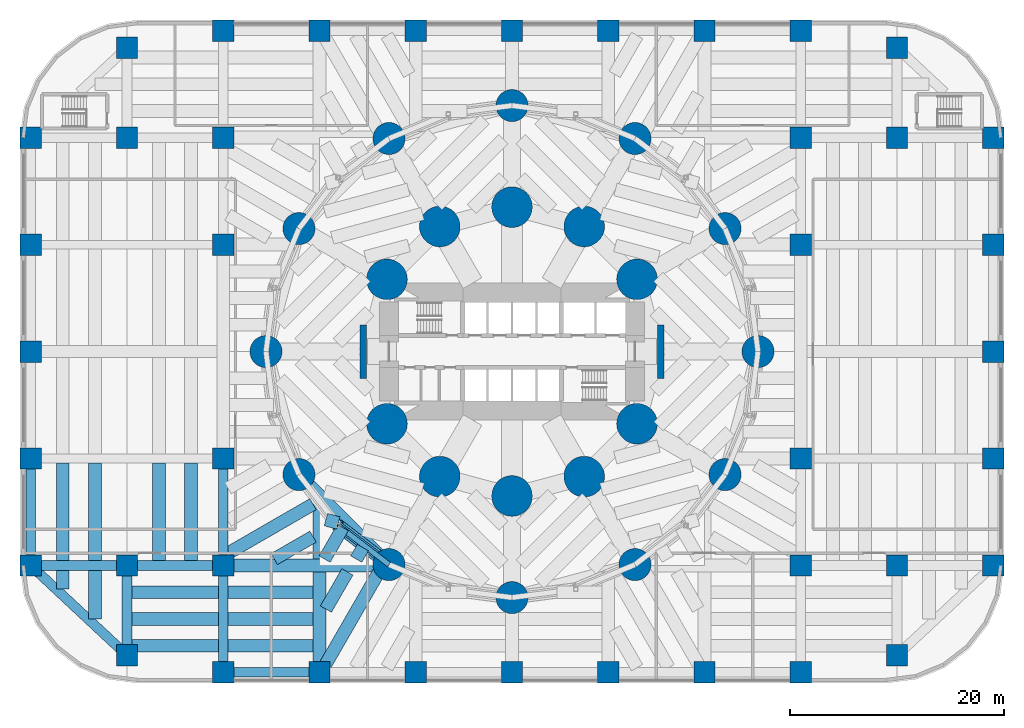
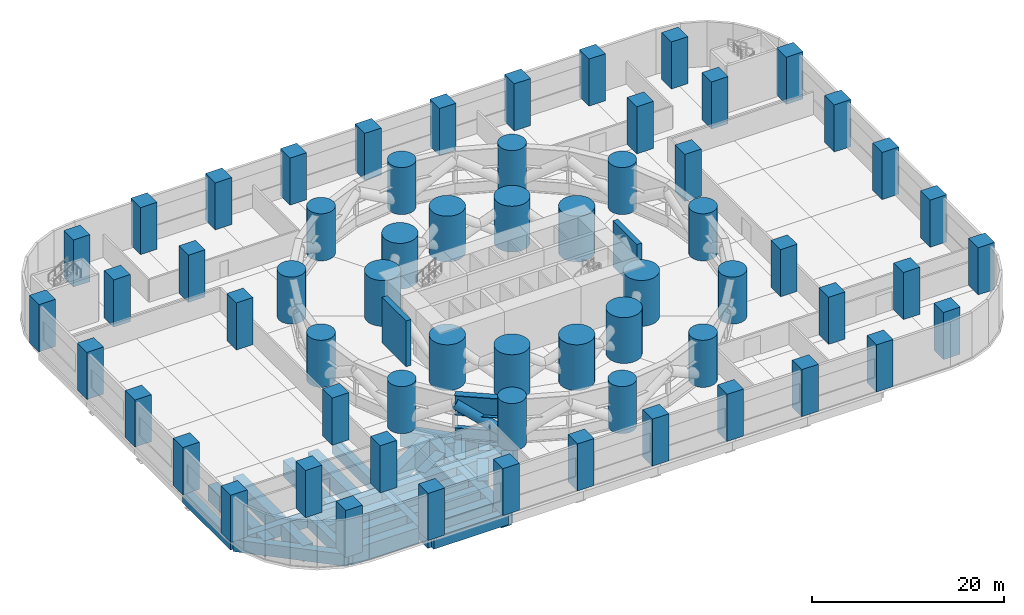
# One storey, part 1 of 14: 64 columns, 32 beams, 1 member.
"""IFC4 building model written with IfcOpenShell, lengths in metres."""

import ifcopenshell
import ifcopenshell.guid

model = None  # the IFC model being written
_history = None  # IfcOwnerHistory: only IFC2X3 demands one
_inside = {}  # id of a spatial element -> (the spatial element, [elements in it])
_under = {}  # id of a project, library or spatial element -> (it, [spatial elements below it])
_declared = {}  # id of a project -> (the project, [libraries it declares])
_typed = {}  # id of a type object -> (the type object, [elements of that type])
_made_of = {}  # id of a material, layer set ... -> (it, [elements and type objects made of it])


def new_model(schema):
    """Start an empty IFC model of exactly this schema.

    Asked for "IFC4X3", IfcOpenShell would pick the latest addendum, in which some entities
    have other attributes; the version numbers below select the first issue.
    IFC2X3 requires an IfcOwnerHistory on every rooted entity: one is made here for all.
    """
    global model, _history
    if schema == "IFC4X3":
        model = ifcopenshell.file(schema_version=(4, 3, 0, 0))
    else:
        model = ifcopenshell.file(schema=schema)
    _inside.clear()
    _under.clear()
    _declared.clear()
    _typed.clear()
    _made_of.clear()
    _history = None
    if model.schema == "IFC2X3":
        org = make("IfcOrganization", Name="unknown")
        user = make(
            "IfcPersonAndOrganization",
            ThePerson=make("IfcPerson", FamilyName="unknown"),
            TheOrganization=org,
        )
        app = make(
            "IfcApplication",
            ApplicationDeveloper=org,
            Version="unknown",
            ApplicationFullName="unknown",
            ApplicationIdentifier="unknown",
        )
        _history = make(
            "IfcOwnerHistory",
            OwningUser=user,
            OwningApplication=app,
            ChangeAction="ADDED",
            CreationDate=0,
        )
    return model


def make(cls, **values):
    """One entity of the class cls with the attributes given. An attribute that is None is left unset."""
    return model.create_entity(
        cls, **{name: value for name, value in values.items() if value is not None}
    )


def rooted(cls, **values):
    """An entity with a GlobalId (a new one), such as an element, a storey or a relation."""
    return make(cls, GlobalId=ifcopenshell.guid.new(), OwnerHistory=_history, **values)


def si_unit(unit_type, name, prefix=None):
    """IfcSIUnit, for example si_unit("LENGTHUNIT", "METRE", prefix="MILLI")."""
    return make("IfcSIUnit", UnitType=unit_type, Prefix=prefix, Name=name)


def assignment(units):
    """IfcUnitAssignment: the units of a project."""
    return None if units is None else make("IfcUnitAssignment", Units=units)


def point(xyz):
    """IfcCartesianPoint."""
    return None if xyz is None else make("IfcCartesianPoint", Coordinates=xyz)


def direction(xyz):
    """IfcDirection."""
    return None if xyz is None else make("IfcDirection", DirectionRatios=xyz)


def frame(location, z_axis=None, x_axis=None):
    """IfcAxis2Placement3D, a coordinate frame: its origin and axes. An axis left out is left unset."""
    return make(
        "IfcAxis2Placement3D",
        Location=point(location),
        Axis=direction(z_axis),
        RefDirection=direction(x_axis),
    )


def frame_2d(location, x_axis=None):
    """IfcAxis2Placement2D, a coordinate frame in the plane: its origin and x axis."""
    return make(
        "IfcAxis2Placement2D", Location=point(location), RefDirection=direction(x_axis)
    )


def origin():
    """The frame at (0, 0, 0) with its axes left unset."""
    return frame((0.0, 0.0, 0.0))


def origin_2d():
    """The frame at (0, 0) in the plane with its x axis left unset."""
    return frame_2d((0.0, 0.0))


def place(relative_to, where):
    """IfcLocalPlacement: puts the frame where relative to a parent placement (None: the world)."""
    return make(
        "IfcLocalPlacement", PlacementRelTo=relative_to, RelativePlacement=where
    )


def context(
    kind, dimensions, precision=None, world=None, true_north=None, identifier=None
):
    """IfcGeometricRepresentationContext, for example the 3D "Model" context."""
    return make(
        "IfcGeometricRepresentationContext",
        ContextIdentifier=identifier,
        ContextType=kind,
        CoordinateSpaceDimension=dimensions,
        Precision=precision,
        WorldCoordinateSystem=world,
        TrueNorth=true_north,
    )


def subcontext(parent, identifier, kind, view, scale=None):
    """IfcGeometricRepresentationSubContext, for example "Body" below "Model"."""
    return make(
        "IfcGeometricRepresentationSubContext",
        ContextIdentifier=identifier,
        ContextType=kind,
        ParentContext=parent,
        TargetScale=scale,
        TargetView=view,
    )


def project(units=None, contexts=None):
    """IfcProject with its units and contexts."""
    return rooted(
        "IfcProject",
        Name="project",
        RepresentationContexts=contexts,
        UnitsInContext=assignment(units),
    )


def spatial(cls, under=None, at=None, **own):
    """A site, building, storey or space (cls), placed at a placement, below another one or the project."""
    s = rooted(cls, ObjectPlacement=at, **own)
    if under is not None:
        _under.setdefault(under.id(), (under, []))[1].append(s)
    return s


def profile(cls, at=None, kind="AREA", **sizes):
    """A parametric profile (cls). Its sizes go by their IFC names, for example OverallWidth=200.0."""
    return make(cls, ProfileType=kind, Position=at, **sizes)


def rectangle(**sizes):
    """IfcRectangleProfileDef."""
    return profile("IfcRectangleProfileDef", **sizes)


def circle(**sizes):
    """IfcCircleProfileDef."""
    return profile("IfcCircleProfileDef", **sizes)


def hollow_circle(**sizes):
    """IfcCircleHollowProfileDef."""
    return profile("IfcCircleHollowProfileDef", **sizes)


def i_section(**sizes):
    """IfcIShapeProfileDef."""
    return profile("IfcIShapeProfileDef", **sizes)


def extrude(swept, where, along, depth):
    """IfcExtrudedAreaSolid: the profile swept, set in the frame where, extruded along a direction by depth."""
    return make(
        "IfcExtrudedAreaSolid",
        SweptArea=swept,
        Position=where,
        ExtrudedDirection=direction(along),
        Depth=depth,
    )


def shape(context_of_items, identifier, shape_type, items):
    """IfcShapeRepresentation: the items that make up one representation, for example the "Body"."""
    return make(
        "IfcShapeRepresentation",
        ContextOfItems=context_of_items,
        RepresentationIdentifier=identifier,
        RepresentationType=shape_type,
        Items=items,
    )


def material(Name=None, Category=None):
    """IfcMaterial."""
    return make("IfcMaterial", Name=Name, Category=Category)


def material_profile(
    of_material, cross_section, Name=None, Category=None, Priority=None
):
    """IfcMaterialProfile: a cross section and its material."""
    return make(
        "IfcMaterialProfile",
        Name=Name,
        Material=of_material,
        Profile=cross_section,
        Priority=Priority,
        Category=Category,
    )


def profile_set(profiles, Name=None, composite=None):
    """IfcMaterialProfileSet."""
    return make(
        "IfcMaterialProfileSet",
        Name=Name,
        MaterialProfiles=profiles,
        CompositeProfile=composite,
    )


def made_of(thing, what):
    """Note that an element or type object is made of a material, layer set ...; save() writes the relation."""
    if what is not None:
        _made_of.setdefault(what.id(), (what, []))[1].append(thing)
    return thing


def type_object(cls, material=None, **own):
    """A type object (cls), such as IfcWallType, which elements share."""
    return made_of(rooted(cls, **own), material)


def element(
    cls,
    number,
    at=None,
    inside=None,
    cuts=None,
    type_object=None,
    material=None,
    context=None,
    identifier="Body",
    shape_type=None,
    held_by="IfcProductDefinitionShape",
    body=None,
    shapes=None,
    **own,
):
    """One element of the class cls, such as IfcWall. Its Tag is "e" and its number.

    at: its placement. inside: the storey or other place that contains it. cuts: it is an
    opening in that element (IfcRelVoidsElement). A single representation is given by context,
    identifier, shape_type and body (its items); several are given by shapes. held_by: the class
    of the entity that holds the representations. save() writes the other relations.
    """
    e = rooted(cls, Tag="e%d" % number, ObjectPlacement=at, **own)
    if body is not None:
        shapes = [shape(context, identifier, shape_type, body)]
    if shapes is not None:
        e.Representation = make(held_by, Representations=shapes)
    if inside is not None:
        _inside.setdefault(inside.id(), (inside, []))[1].append(e)
    if cuts is not None:
        rooted(
            "IfcRelVoidsElement", RelatingBuildingElement=cuts, RelatedOpeningElement=e
        )
    if type_object is not None:
        _typed.setdefault(type_object.id(), (type_object, []))[1].append(e)
    return made_of(e, material)


def aggregate(whole, parts):
    """IfcRelAggregates: a whole, such as a stair, and the parts it consists of."""
    return rooted("IfcRelAggregates", RelatingObject=whole, RelatedObjects=parts)


def save(model, path):
    """Write the relations noted so far, then the file.

    IfcRelAggregates (storeys below a building ...), IfcRelContainedInSpatialStructure (elements
    in a storey), IfcRelDefinesByType, IfcRelAssociatesMaterial and IfcRelDeclares: one each for
    every whole, place, type object, material and project.
    """
    for whole, parts in _under.values():
        aggregate(whole, parts)
    for where, things in _inside.values():
        rooted(
            "IfcRelContainedInSpatialStructure",
            RelatedElements=things,
            RelatingStructure=where,
        )
    for kind, things in _typed.values():
        rooted("IfcRelDefinesByType", RelatedObjects=things, RelatingType=kind)
    for what, things in _made_of.values():
        rooted("IfcRelAssociatesMaterial", RelatedObjects=things, RelatingMaterial=what)
    for by, libraries in _declared.values():
        rooted("IfcRelDeclares", RelatingContext=by, RelatedDefinitions=libraries)
    model.write(path)


model = new_model("IFC4")

# Units and contexts
model_context = context("Model", 3, precision=1e-05, world=origin(), true_north=direction((0.0, 1.0)))
body_context = subcontext(model_context, "Body", "Model", "MODEL_VIEW")
ifc_project = project(units=[si_unit("LENGTHUNIT", "METRE"), si_unit("AREAUNIT", "SQUARE_METRE"), si_unit("VOLUMEUNIT", "CUBIC_METRE"), si_unit("PLANEANGLEUNIT", "RADIAN"), si_unit("MASSUNIT", "GRAM", prefix="KILO")], contexts=[model_context])

# Site, building, storey
site_placement = place(None, origin())
site = spatial("IfcSite", under=ifc_project, at=site_placement, CompositionType="ELEMENT")
building_placement = place(site_placement, origin())
building = spatial("IfcBuilding", under=site, at=building_placement, Name="Qaws Media Tower", CompositionType="ELEMENT")
storey_placement = place(building_placement, frame((0.0, 0.0, 20.0)))
storey = spatial("IfcBuildingStorey", under=building, at=storey_placement, Name="L03", CompositionType="ELEMENT", Elevation=20.0)

# Columns
ifc_material_1 = material(Name="Concrete C70/85", Category="concrete")
ifc_material_profile_1 = material_profile(ifc_material_1, circle(Radius=1.5, at=origin_2d()), Name="RC D3000")
ifc_profile_set_1 = profile_set([ifc_material_profile_1], Name="Concrete C70/85")
column_type_1 = type_object("IfcColumnType", Name="Mega column RC D3000", PredefinedType="COLUMN", material=ifc_profile_set_1)
for number, where, z_axis, x_axis, name in (
    (1, (83.0, 50.0, 0.0), (0.0, 0.0, 1.0), (1.0, 0.0, 0.0), "MC1 mega column M01"),
    (2, (79.918701171875, 61.5, 0.0), (0.0, 0.0, 1.0), (1.0, 0.0, 0.0), "MC1 mega column M02"),
    (3, (71.5, 69.918701171875, 0.0), (0.0, 0.0, 1.0), (1.0, 0.0, 0.0), "MC1 mega column M03"),
    (4, (60.0, 73.0, 0.0), (0.0, 0.0, 1.0), (1.0, 0.0, 0.0), "MC1 mega column M04"),
    (5, (48.5, 69.918701171875, 0.0), (0.0, 0.0, 1.0), (1.0, 0.0, 0.0), "MC1 mega column M05"),
    (6, (40.081298828125, 61.5, 0.0), (0.0, 0.0, 1.0), (1.0, 0.0, 0.0), "MC1 mega column M06"),
    (7, (37.0, 50.0, 0.0), (0.0, 0.0, 1.0), (1.0, 0.0, 0.0), "MC1 mega column M07"),
    (8, (40.081298828125, 38.5, 0.0), (0.0, 0.0, 1.0), (1.0, 0.0, 0.0), "MC1 mega column M08"),
    (9, (48.5, 30.081298828125, 0.0), (0.0, 0.0, 1.0), (1.0, 0.0, 0.0), "MC1 mega column M09"),
    (10, (60.0, 27.0, 0.0), (0.0, 0.0, 1.0), (1.0, 0.0, 0.0), "MC1 mega column M10"),
    (11, (71.5, 30.081298828125, 0.0), (0.0, 0.0, 1.0), (1.0, 0.0, 0.0), "MC1 mega column M11"),
    (12, (79.918701171875, 38.5, 0.0), (0.0, 0.0, 1.0), (1.0, 0.0, 0.0), "MC1 mega column M12"),
):
    element("IfcColumn", number, at=place(storey_placement, frame(where, z_axis=z_axis, x_axis=x_axis)), inside=storey, type_object=column_type_1, Name=name, PredefinedType="COLUMN", context=body_context, shape_type="SweptSolid", body=[
        extrude(circle(Radius=1.5, at=origin_2d()), origin(), (0.0, 0.0, 1.0), 6.0),
    ])
ifc_material_2 = material(Name="Concrete C60/75", Category="concrete")
ifc_material_profile_2 = material_profile(ifc_material_2, rectangle(XDim=2.0, YDim=2.0, at=origin_2d()), Name="RC 2000x2000")
ifc_profile_set_2 = profile_set([ifc_material_profile_2], Name="Concrete C60/75")
column_type_2 = type_object("IfcColumnType", Name="Podium column RC 2000x2000", PredefinedType="COLUMN", material=ifc_profile_set_2)
for number, where, z_axis, x_axis, name in (
    (13, (33.0, 20.0, 0.0), (0.0, 0.0, 1.0), (1.0, 0.0, 0.0), "PC2 column 3/A"),
    (14, (42.0, 20.0, 0.0), (0.0, 0.0, 1.0), (1.0, 0.0, 0.0), "PC2 column 4/A"),
    (15, (51.0, 20.0, 0.0), (0.0, 0.0, 1.0), (1.0, 0.0, 0.0), "PC2 column 5/A"),
    (16, (60.0, 20.0, 0.0), (0.0, 0.0, 1.0), (1.0, 0.0, 0.0), "PC2 column 6/A"),
    (17, (69.0, 20.0, 0.0), (0.0, 0.0, 1.0), (1.0, 0.0, 0.0), "PC2 column 7/A"),
    (18, (78.0, 20.0, 0.0), (0.0, 0.0, 1.0), (1.0, 0.0, 0.0), "PC2 column 8/A"),
    (19, (87.0, 20.0, 0.0), (0.0, 0.0, 1.0), (1.0, 0.0, 0.0), "PC2 column 9/A"),
    (20, (24.0, 21.60009765625, 0.0), (0.0, 0.0, 1.0), (1.0, 0.0, 0.0), "PC2 column 2/A"),
    (21, (96.0, 21.60009765625, 0.0), (0.0, 0.0, 1.0), (1.0, 0.0, 0.0), "PC2 column 10/A"),
    (22, (15.0, 30.0, 0.0), (0.0, 0.0, 1.0), (1.0, 0.0, 0.0), "PC2 column 1/B"),
    (23, (24.0, 30.0, 0.0), (0.0, 0.0, 1.0), (1.0, 0.0, 0.0), "PC2 column 2/B"),
    (24, (33.0, 30.0, 0.0), (0.0, 0.0, 1.0), (1.0, 0.0, 0.0), "PC2 column 3/B"),
    (25, (87.0, 30.0, 0.0), (0.0, 0.0, 1.0), (1.0, 0.0, 0.0), "PC2 column 9/B"),
    (26, (96.0, 30.0, 0.0), (0.0, 0.0, 1.0), (1.0, 0.0, 0.0), "PC2 column 10/B"),
    (27, (105.0, 30.0, 0.0), (0.0, 0.0, 1.0), (1.0, 0.0, 0.0), "PC2 column 11/B"),
    (28, (15.0, 40.0, 0.0), (0.0, 0.0, 1.0), (1.0, 0.0, 0.0), "PC2 column 1/C"),
    (29, (33.0, 40.0, 0.0), (0.0, 0.0, 1.0), (1.0, 0.0, 0.0), "PC2 column 3/C"),
    (30, (87.0, 40.0, 0.0), (0.0, 0.0, 1.0), (1.0, 0.0, 0.0), "PC2 column 9/C"),
    (31, (105.0, 40.0, 0.0), (0.0, 0.0, 1.0), (1.0, 0.0, 0.0), "PC2 column 11/C"),
    (32, (15.0, 50.0, 0.0), (0.0, 0.0, 1.0), (1.0, 0.0, 0.0), "PC2 column 1/D"),
    (33, (105.0, 50.0, 0.0), (0.0, 0.0, 1.0), (1.0, 0.0, 0.0), "PC2 column 11/D"),
    (34, (15.0, 60.0, 0.0), (0.0, 0.0, 1.0), (1.0, 0.0, 0.0), "PC2 column 1/E"),
    (35, (33.0, 60.0, 0.0), (0.0, 0.0, 1.0), (1.0, 0.0, 0.0), "PC2 column 3/E"),
    (36, (87.0, 60.0, 0.0), (0.0, 0.0, 1.0), (1.0, 0.0, 0.0), "PC2 column 9/E"),
    (37, (105.0, 60.0, 0.0), (0.0, 0.0, 1.0), (1.0, 0.0, 0.0), "PC2 column 11/E"),
    (38, (15.0, 70.0, 0.0), (0.0, 0.0, 1.0), (1.0, 0.0, 0.0), "PC2 column 1/F"),
    (39, (24.0, 70.0, 0.0), (0.0, 0.0, 1.0), (1.0, 0.0, 0.0), "PC2 column 2/F"),
    (40, (33.0, 70.0, 0.0), (0.0, 0.0, 1.0), (1.0, 0.0, 0.0), "PC2 column 3/F"),
    (41, (87.0, 70.0, 0.0), (0.0, 0.0, 1.0), (1.0, 0.0, 0.0), "PC2 column 9/F"),
    (42, (96.0, 70.0, 0.0), (0.0, 0.0, 1.0), (1.0, 0.0, 0.0), "PC2 column 10/F"),
    (43, (105.0, 70.0, 0.0), (0.0, 0.0, 1.0), (1.0, 0.0, 0.0), "PC2 column 11/F"),
    (44, (24.0, 78.39990234375, 0.0), (0.0, 0.0, 1.0), (1.0, 0.0, 0.0), "PC2 column 2/G"),
    (45, (96.0, 78.39990234375, 0.0), (0.0, 0.0, 1.0), (1.0, 0.0, 0.0), "PC2 column 10/G"),
    (46, (33.0, 80.0, 0.0), (0.0, 0.0, 1.0), (1.0, 0.0, 0.0), "PC2 column 3/G"),
    (47, (42.0, 80.0, 0.0), (0.0, 0.0, 1.0), (1.0, 0.0, 0.0), "PC2 column 4/G"),
    (48, (51.0, 80.0, 0.0), (0.0, 0.0, 1.0), (1.0, 0.0, 0.0), "PC2 column 5/G"),
    (49, (60.0, 80.0, 0.0), (0.0, 0.0, 1.0), (1.0, 0.0, 0.0), "PC2 column 6/G"),
    (50, (69.0, 80.0, 0.0), (0.0, 0.0, 1.0), (1.0, 0.0, 0.0), "PC2 column 7/G"),
    (51, (78.0, 80.0, 0.0), (0.0, 0.0, 1.0), (1.0, 0.0, 0.0), "PC2 column 8/G"),
    (52, (87.0, 80.0, 0.0), (0.0, 0.0, 1.0), (1.0, 0.0, 0.0), "PC2 column 9/G"),
):
    element("IfcColumn", number, at=place(storey_placement, frame(where, z_axis=z_axis, x_axis=x_axis)), inside=storey, type_object=column_type_2, Name=name, PredefinedType="COLUMN", context=body_context, shape_type="SweptSolid", body=[
        extrude(rectangle(XDim=2.0, YDim=2.0, at=origin_2d()), origin(), (0.0, 0.0, 1.0), 6.0),
    ])
ifc_material_3 = material(Name="Concrete C70/85", Category="concrete")
ifc_material_profile_3 = material_profile(ifc_material_3, rectangle(XDim=0.60009765625, YDim=5.0, at=origin_2d()), Name="RC 600x5000")
ifc_profile_set_3 = profile_set([ifc_material_profile_3], Name="Concrete C70/85")
column_type_3 = type_object("IfcColumnType", Name="Podium inner blade column RC 600x5000", PredefinedType="COLUMN", material=ifc_profile_set_3)
for number, where, z_axis, x_axis, name in (
    (53, (73.89990234375, 50.0, 0.0), (0.0, 0.0, 1.0), (1.0, 0.0, 0.0), "PC4 inner blade column I01"),
    (54, (46.10009765625, 50.0, 0.0), (0.0, 0.0, 1.0), (1.0, 0.0, 0.0), "PC4 inner blade column I07"),
):
    element("IfcColumn", number, at=place(storey_placement, frame(where, z_axis=z_axis, x_axis=x_axis)), inside=storey, type_object=column_type_3, Name=name, PredefinedType="COLUMN", context=body_context, shape_type="SweptSolid", body=[
        extrude(rectangle(XDim=0.60009765625, YDim=5.0, at=origin_2d()), origin(), (0.0, 0.0, 1.0), 5.840087890625),
    ])
ifc_material_4 = material(Name="Concrete C70/85", Category="concrete")
ifc_material_profile_4 = material_profile(ifc_material_4, circle(Radius=1.89990234375, at=origin_2d()), Name="RC D3800")
ifc_profile_set_4 = profile_set([ifc_material_profile_4], Name="Concrete C70/85")
column_type_4 = type_object("IfcColumnType", Name="Podium inner column RC D3800", PredefinedType="COLUMN", material=ifc_profile_set_4)
for number, where, z_axis, x_axis, name in (
    (55, (71.69140625, 56.75, 0.0), (0.0, 0.0, 1.0), (1.0, 0.0, 0.0), "PC3 inner column I02"),
    (56, (66.75, 61.69140625, 0.0), (0.0, 0.0, 1.0), (1.0, 0.0, 0.0), "PC3 inner column I03"),
    (57, (60.0, 63.5, 0.0), (0.0, 0.0, 1.0), (1.0, 0.0, 0.0), "PC3 inner column I04"),
    (58, (53.25, 61.69140625, 0.0), (0.0, 0.0, 1.0), (1.0, 0.0, 0.0), "PC3 inner column I05"),
    (59, (48.30859375, 56.75, 0.0), (0.0, 0.0, 1.0), (1.0, 0.0, 0.0), "PC3 inner column I06"),
    (60, (48.30859375, 43.25, 0.0), (0.0, 0.0, 1.0), (1.0, 0.0, 0.0), "PC3 inner column I08"),
    (61, (53.25, 38.30859375, 0.0), (0.0, 0.0, 1.0), (1.0, 0.0, 0.0), "PC3 inner column I09"),
    (62, (60.0, 36.5, 0.0), (0.0, 0.0, 1.0), (1.0, 0.0, 0.0), "PC3 inner column I10"),
    (63, (66.75, 38.30859375, 0.0), (0.0, 0.0, 1.0), (1.0, 0.0, 0.0), "PC3 inner column I11"),
    (64, (71.69140625, 43.25, 0.0), (0.0, 0.0, 1.0), (1.0, 0.0, 0.0), "PC3 inner column I12"),
):
    element("IfcColumn", number, at=place(storey_placement, frame(where, z_axis=z_axis, x_axis=x_axis)), inside=storey, type_object=column_type_4, Name=name, PredefinedType="COLUMN", context=body_context, shape_type="SweptSolid", body=[
        extrude(circle(Radius=1.89990234375, at=origin_2d()), origin(), (0.0, 0.0, 1.0), 5.840087890625),
    ])

# Beams
ifc_material_5 = material(Name="Concrete C60/75", Category="concrete")
ifc_material_profile_5 = material_profile(ifc_material_5, rectangle(XDim=1.199951171875, YDim=2.0, at=origin_2d()), Name="RC 1200x2000")
ifc_profile_set_5 = profile_set([ifc_material_profile_5], Name="Concrete C60/75")
beam_type_1 = type_object("IfcBeamType", Name="Podium long trimmer beam RC 1200x2000", PredefinedType="BEAM", material=ifc_profile_set_5)
beam_1_placement = place(storey_placement, frame((33.0, 30.0, -1.300048828125), z_axis=(1.0, 0.0, 0.0), x_axis=(0.0, 1.0, 0.0)))
element("IfcBeam", 65, at=beam_1_placement, inside=storey, type_object=beam_type_1, Name="PB11 beam 3/B to the tower ring", PredefinedType="BEAM", context=body_context, shape_type="SweptSolid", body=[
    extrude(rectangle(XDim=1.199951171875, YDim=2.0, at=origin_2d()), origin(), (0.0, 0.0, 1.0), 15.803955078125),
])
beam_2_placement = place(storey_placement, frame((42.0, 20.0, -1.300048828125), z_axis=(0.0, 1.0, 0.0), x_axis=(-1.0, 0.0, 0.0)))
element("IfcBeam", 66, at=beam_2_placement, inside=storey, type_object=beam_type_1, Name="PB11 beam 4/A to the tower ring", PredefinedType="BEAM", context=body_context, shape_type="SweptSolid", body=[
    extrude(rectangle(XDim=1.199951171875, YDim=2.0, at=origin_2d()), origin(), (0.0, 0.0, 1.0), 16.581298828125),
])
ifc_material_6 = material(Name="Concrete C60/75", Category="concrete")
ifc_material_profile_6 = material_profile(ifc_material_6, rectangle(XDim=1.199951171875, YDim=2.0, at=origin_2d()), Name="RC 1200x2000")
ifc_profile_set_6 = profile_set([ifc_material_profile_6], Name="Concrete C60/75")
beam_type_2 = type_object("IfcBeamType", Name="Podium plant floor edge beam RC 1200x2000", PredefinedType="BEAM", material=ifc_profile_set_6)
beam_3_placement = place(storey_placement, frame((40.081298828125, 38.5, -1.300048828125), z_axis=(0.707106781187, -0.707106781187, 0.0), x_axis=(0.707106781187, 0.707106781187, 0.0)))
element("IfcBeam", 67, at=beam_3_placement, inside=storey, type_object=beam_type_2, Name="PB12 beam M08-M09", PredefinedType="BEAM", context=body_context, shape_type="SweptSolid", body=[
    extrude(rectangle(XDim=1.199951171875, YDim=2.0, at=origin_2d()), origin(), (0.0, 0.0, 1.0), 11.90576171875),
])
ifc_material_7 = material(Name="Concrete C60/75", Category="concrete")
ifc_material_profile_7 = material_profile(ifc_material_7, rectangle(XDim=0.89990234375, YDim=1.5, at=origin_2d()), Name="RC 900x1500")
ifc_profile_set_7 = profile_set([ifc_material_profile_7], Name="Concrete C60/75")
beam_type_3 = type_object("IfcBeamType", Name="Podium plant floor girder RC 900x1500", PredefinedType="BEAM", material=ifc_profile_set_7)
for number, where, z_axis, x_axis, name in (
    (68, (33.0, 20.0, -1.050048828125), (1.0, 0.0, 0.0), (0.0, 1.0, 0.0), "PB6 beam 3-4/A"),
    (69, (15.0, 30.0, -1.050048828125), (1.0, 0.0, 0.0), (0.0, 1.0, 0.0), "PB6 beam 1-2/B"),
    (70, (24.0, 30.0, -1.050048828125), (1.0, 0.0, 0.0), (0.0, 1.0, 0.0), "PB6 beam 2-3/B"),
):
    element("IfcBeam", number, at=place(storey_placement, frame(where, z_axis=z_axis, x_axis=x_axis)), inside=storey, type_object=beam_type_3, Name=name, PredefinedType="BEAM", context=body_context, shape_type="SweptSolid", body=[
        extrude(rectangle(XDim=0.89990234375, YDim=1.5, at=origin_2d()), origin(), (0.0, 0.0, 1.0), 9.0),
    ])
beam_4_placement = place(storey_placement, frame((15.0, 30.0, -1.050048828125), z_axis=(0.0, 1.0, 0.0), x_axis=(-1.0, 0.0, 0.0)))
element("IfcBeam", 71, at=beam_4_placement, inside=storey, type_object=beam_type_3, Name="PB6 beam 1/B-C", PredefinedType="BEAM", context=body_context, shape_type="SweptSolid", body=[
    extrude(rectangle(XDim=0.89990234375, YDim=1.5, at=origin_2d()), origin(), (0.0, 0.0, 1.0), 10.0),
])
beam_5_placement = place(storey_placement, frame((24.0, 21.60009765625, -1.050048828125), z_axis=(0.0, 1.0, 0.0), x_axis=(-1.0, 0.0, 0.0)))
element("IfcBeam", 72, at=beam_5_placement, inside=storey, type_object=beam_type_3, Name="PB6 beam 2/A-B", PredefinedType="BEAM", context=body_context, shape_type="SweptSolid", body=[
    extrude(rectangle(XDim=0.89990234375, YDim=1.5, at=origin_2d()), origin(), (0.0, 0.0, 1.0), 8.39990234375),
])
for number, where, z_axis, x_axis, name in (
    (73, (33.0, 20.0, -1.050048828125), (0.0, 1.0, 0.0), (-1.0, 0.0, 0.0), "PB6 beam 3/A-B"),
    (74, (33.0, 30.0, -1.050048828125), (0.0, 1.0, 0.0), (-1.0, 0.0, 0.0), "PB6 beam 3/B-C"),
):
    element("IfcBeam", number, at=place(storey_placement, frame(where, z_axis=z_axis, x_axis=x_axis)), inside=storey, type_object=beam_type_3, Name=name, PredefinedType="BEAM", context=body_context, shape_type="SweptSolid", body=[
        extrude(rectangle(XDim=0.89990234375, YDim=1.5, at=origin_2d()), origin(), (0.0, 0.0, 1.0), 10.0),
    ])
beam_6_placement = place(storey_placement, frame((15.0, 30.0, -1.050048828125), z_axis=(0.73105922506, -0.682314010889, 0.0), x_axis=(0.682314010889, 0.73105922506, 0.0)))
element("IfcBeam", 75, at=beam_6_placement, inside=storey, type_object=beam_type_3, Name="PB6 beam 1/B-2/A", PredefinedType="BEAM", context=body_context, shape_type="SweptSolid", body=[
    extrude(rectangle(XDim=0.89990234375, YDim=1.5, at=origin_2d()), origin(), (0.0, 0.0, 1.0), 12.310791015625),
])
ifc_material_8 = material(Name="Concrete C60/75", Category="concrete")
ifc_material_profile_8 = material_profile(ifc_material_8, rectangle(XDim=1.199951171875, YDim=2.0, at=origin_2d()), Name="RC 1200x2000")
ifc_profile_set_8 = profile_set([ifc_material_profile_8], Name="Concrete C60/75")
beam_type_4 = type_object("IfcBeamType", Name="Podium secondary beam RC 1200x2000", PredefinedType="BEAM", material=ifc_profile_set_8)
beam_7_placement = place(storey_placement, frame((21.0, 25.015625, -1.300048828125), z_axis=(0.0, 1.0, 0.0), x_axis=(-1.0, 0.0, 0.0)))
element("IfcBeam", 76, at=beam_7_placement, inside=storey, type_object=beam_type_4, Name="PB7 beam bay 1A line 1", PredefinedType="BEAM", context=body_context, shape_type="SweptSolid", body=[
    extrude(rectangle(XDim=1.199951171875, YDim=2.0, at=origin_2d()), origin(), (0.0, 0.0, 1.0), 4.534423828125),
])
beam_8_placement = place(storey_placement, frame((18.0, 27.8154296875, -1.300048828125), z_axis=(0.0, 1.0, 0.0), x_axis=(-1.0, 0.0, 0.0)))
element("IfcBeam", 77, at=beam_8_placement, inside=storey, type_object=beam_type_4, Name="PB7 beam bay 1A line 2", PredefinedType="BEAM", context=body_context, shape_type="SweptSolid", body=[
    extrude(rectangle(XDim=1.199951171875, YDim=2.0, at=origin_2d()), origin(), (0.0, 0.0, 1.0), 1.734619140625),
])
for number, where, z_axis, x_axis, name in (
    (78, (21.0, 30.449951171875, -1.300048828125), (0.0, 1.0, 0.0), (-1.0, 0.0, 0.0), "PB7 beam bay 1B line 1"),
    (79, (18.0, 30.449951171875, -1.300048828125), (0.0, 1.0, 0.0), (-1.0, 0.0, 0.0), "PB7 beam bay 1B line 2"),
):
    element("IfcBeam", number, at=place(storey_placement, frame(where, z_axis=z_axis, x_axis=x_axis)), inside=storey, type_object=beam_type_4, Name=name, PredefinedType="BEAM", context=body_context, shape_type="SweptSolid", body=[
        extrude(rectangle(XDim=1.199951171875, YDim=2.0, at=origin_2d()), origin(), (0.0, 0.0, 1.0), 9.150146484375),
    ])
for number, where, z_axis, x_axis, name in (
    (80, (24.449951171875, 22.5, -1.300048828125), (1.0, 0.0, 0.0), (0.0, 1.0, 0.0), "PB7 beam bay 2A line 1"),
    (81, (24.449951171875, 25.0, -1.300048828125), (1.0, 0.0, 0.0), (0.0, 1.0, 0.0), "PB7 beam bay 2A line 2"),
    (82, (24.449951171875, 27.5, -1.300048828125), (1.0, 0.0, 0.0), (0.0, 1.0, 0.0), "PB7 beam bay 2A line 3"),
):
    element("IfcBeam", number, at=place(storey_placement, frame(where, z_axis=z_axis, x_axis=x_axis)), inside=storey, type_object=beam_type_4, Name=name, PredefinedType="BEAM", context=body_context, shape_type="SweptSolid", body=[
        extrude(rectangle(XDim=1.199951171875, YDim=2.0, at=origin_2d()), origin(), (0.0, 0.0, 1.0), 8.10009765625),
    ])
for number, where, z_axis, x_axis, name in (
    (83, (30.0, 30.449951171875, -1.300048828125), (0.0, 1.0, 0.0), (-1.0, 0.0, 0.0), "PB7 beam bay 2B line 1"),
    (84, (27.0, 30.449951171875, -1.300048828125), (0.0, 1.0, 0.0), (-1.0, 0.0, 0.0), "PB7 beam bay 2B line 2"),
):
    element("IfcBeam", number, at=place(storey_placement, frame(where, z_axis=z_axis, x_axis=x_axis)), inside=storey, type_object=beam_type_4, Name=name, PredefinedType="BEAM", context=body_context, shape_type="SweptSolid", body=[
        extrude(rectangle(XDim=1.199951171875, YDim=2.0, at=origin_2d()), origin(), (0.0, 0.0, 1.0), 9.150146484375),
    ])
for number, where, z_axis, x_axis, name in (
    (85, (33.449951171875, 22.5, -1.300048828125), (1.0, 0.0, 0.0), (0.0, 1.0, 0.0), "PB7 beam bay 3A line 1"),
    (86, (33.449951171875, 25.0, -1.300048828125), (1.0, 0.0, 0.0), (0.0, 1.0, 0.0), "PB7 beam bay 3A line 2"),
    (87, (33.449951171875, 27.5, -1.300048828125), (1.0, 0.0, 0.0), (0.0, 1.0, 0.0), "PB7 beam bay 3A line 3"),
):
    element("IfcBeam", number, at=place(storey_placement, frame(where, z_axis=z_axis, x_axis=x_axis)), inside=storey, type_object=beam_type_4, Name=name, PredefinedType="BEAM", context=body_context, shape_type="SweptSolid", body=[
        extrude(rectangle(XDim=1.199951171875, YDim=2.0, at=origin_2d()), origin(), (0.0, 0.0, 1.0), 7.949951171875),
    ])
beam_9_placement = place(storey_placement, frame((37.775146484375, 30.60009765625, -1.300048828125), z_axis=(0.866023369196, 0.500003523994, 0.0), x_axis=(-0.500003523994, 0.866023369196, 0.0)))
element("IfcBeam", 88, at=beam_9_placement, inside=storey, type_object=beam_type_4, Name="PB7 beam bay 3B line 1", PredefinedType="BEAM", context=body_context, shape_type="SweptSolid", body=[
    extrude(rectangle(XDim=1.199951171875, YDim=2.0, at=origin_2d()), origin(), (0.0, 0.0, 1.0), 4.185546875),
])
beam_10_placement = place(storey_placement, frame((33.449951171875, 31.14208984375, -1.300048828125), z_axis=(0.866028361304, 0.499994877392, 0.0), x_axis=(-0.499994877392, 0.866028361304, 0.0)))
element("IfcBeam", 89, at=beam_10_placement, inside=storey, type_object=beam_type_4, Name="PB7 beam bay 3B line 2", PredefinedType="BEAM", context=body_context, shape_type="SweptSolid", body=[
    extrude(rectangle(XDim=1.199951171875, YDim=2.0, at=origin_2d()), origin(), (0.0, 0.0, 1.0), 9.1796875),
])
beam_11_placement = place(storey_placement, frame((42.395751953125, 20.449951171875, -1.300048828125), z_axis=(0.499998520234, 0.866026258126, 0.0), x_axis=(-0.866026258126, 0.499998520234, 0.0)))
element("IfcBeam", 90, at=beam_11_placement, inside=storey, type_object=beam_type_4, Name="PB7 beam bay 4A line 3", PredefinedType="BEAM", context=body_context, shape_type="SweptSolid", body=[
    extrude(rectangle(XDim=1.199951171875, YDim=2.0, at=origin_2d()), origin(), (0.0, 0.0, 1.0), 10.33447265625),
])
beam_12_placement = place(storey_placement, frame((42.60009765625, 25.921630859375, -1.300048828125), z_axis=(0.500022371132, 0.86601248742, 0.0), x_axis=(-0.86601248742, 0.500022371132, 0.0)))
element("IfcBeam", 91, at=beam_12_placement, inside=storey, type_object=beam_type_4, Name="PB7 beam bay 4A line 4", PredefinedType="BEAM", context=body_context, shape_type="SweptSolid", body=[
    extrude(rectangle(XDim=1.199951171875, YDim=2.0, at=origin_2d()), origin(), (0.0, 0.0, 1.0), 4.016357421875),
])
beam_13_placement = place(storey_placement, frame((45.43701171875, 30.60009765625, -1.300048828125), z_axis=(0.500136695225, 0.865946468374, 0.0), x_axis=(-0.865946468374, 0.500136695225, 0.0)))
element("IfcBeam", 92, at=beam_13_placement, inside=storey, type_object=beam_type_4, Name="PB7 beam bay 4B line 1", PredefinedType="BEAM", context=body_context, shape_type="SweptSolid", body=[
    extrude(rectangle(XDim=1.199951171875, YDim=2.0, at=origin_2d()), origin(), (0.0, 0.0, 1.0), 1.241455078125),
])
beam_14_placement = place(storey_placement, frame((42.482421875, 30.60009765625, -1.300048828125), z_axis=(0.499995597562, 0.866027945518, 0.0), x_axis=(-0.866027945518, 0.499995597562, 0.0)))
element("IfcBeam", 93, at=beam_14_placement, inside=storey, type_object=beam_type_4, Name="PB7 beam bay 4B line 2", PredefinedType="BEAM", context=body_context, shape_type="SweptSolid", body=[
    extrude(rectangle(XDim=1.199951171875, YDim=2.0, at=origin_2d()), origin(), (0.0, 0.0, 1.0), 3.404296875),
])
beam_15_placement = place(storey_placement, frame((43.757080078125, 33.975830078125, -1.300048828125), z_axis=(-0.965916206355, 0.258854944518, 0.0), x_axis=(-0.258854944518, -0.965916206355, 0.0)))
element("IfcBeam", 94, at=beam_15_placement, inside=storey, type_object=beam_type_4, Name="PB7 beam bay T08 line 5", PredefinedType="BEAM", context=body_context, shape_type="SweptSolid", body=[
    extrude(rectangle(XDim=1.199951171875, YDim=2.0, at=origin_2d()), origin(), (0.0, 0.0, 1.0), 1.19775390625),
])
ifc_material_9 = material(Name="Steel S355", Category="steel")
ifc_material_profile_9 = material_profile(ifc_material_9, i_section(OverallWidth=0.5, OverallDepth=1.5, WebThickness=0.02001953125, FlangeThickness=0.0400390625, at=origin_2d()), Name="PG 1500x500")
ifc_profile_set_9 = profile_set([ifc_material_profile_9], Name="Steel S355")
beam_type_5 = type_object("IfcBeamType", Name="Transfer bottom chord PG 1500x500", PredefinedType="BEAM", material=ifc_profile_set_9)
beam_16_placement = place(storey_placement, frame((43.736572265625, 33.736572265625, 0.75), z_axis=(0.793339924758, -0.608778912074, 0.0), x_axis=(0.608778912074, 0.793339924758, 0.0)))
element("IfcBeam", 95, at=beam_16_placement, inside=storey, type_object=beam_type_5, Name="TG2 transfer bottom chord N16-N17", PredefinedType="BEAM", context=body_context, shape_type="SweptSolid", body=[
    extrude(i_section(OverallWidth=0.5, OverallDepth=1.5, WebThickness=0.02001953125, FlangeThickness=0.0400390625, at=origin_2d()), origin(), (0.0, 0.0, 1.0), 6.004150390625),
])
ifc_material_10 = material(Name="Steel S460", Category="steel")
ifc_material_profile_10 = material_profile(ifc_material_10, i_section(OverallWidth=0.800048828125, OverallDepth=2.5, WebThickness=0.030029296875, FlangeThickness=0.06494140625, at=origin_2d()), Name="PG 2500x800")
ifc_profile_set_10 = profile_set([ifc_material_profile_10], Name="Steel S460")
beam_type_6 = type_object("IfcBeamType", Name="Transfer ring girder PG 2500x800", PredefinedType="BEAM", material=ifc_profile_set_10)
beam_17_placement = place(storey_placement, frame((43.736572265625, 33.736572265625, 4.449951171875), z_axis=(0.793339924758, -0.608778912074, 0.0), x_axis=(0.608778912074, 0.793339924758, 0.0)))
element("IfcBeam", 96, at=beam_17_placement, inside=storey, type_object=beam_type_6, Name="TG1 transfer ring girder N16-N17", PredefinedType="BEAM", context=body_context, shape_type="SweptSolid", body=[
    extrude(i_section(OverallWidth=0.800048828125, OverallDepth=2.5, WebThickness=0.030029296875, FlangeThickness=0.06494140625, at=origin_2d()), origin(), (0.0, 0.0, 1.0), 6.004150390625),
])

# Member
ifc_material_11 = material(Name="Steel S460", Category="steel")
ifc_material_profile_11 = material_profile(ifc_material_11, hollow_circle(Radius=0.609619140625, WallThickness=0.06005859375, at=origin_2d()), Name="CHS 1219x60")
ifc_profile_set_11 = profile_set([ifc_material_profile_11], Name="Steel S460")
member_type = type_object("IfcMemberType", Name="Transfer truss diagonal CHS 1219x60", PredefinedType="BRACE", material=ifc_profile_set_11)
member_placement = place(storey_placement, frame((48.5, 30.081298828125, 0.75), z_axis=(-0.675402608617, 0.518278297177, 0.5246131174), x_axis=(-0.608778912074, -0.793339924758, 0.0)))
element("IfcMember", 97, at=member_placement, inside=storey, type_object=member_type, Name="TT1 transfer diagonal M08b", PredefinedType="BRACE", context=body_context, shape_type="SweptSolid", body=[
    extrude(hollow_circle(Radius=0.609619140625, WallThickness=0.06005859375, at=origin_2d()), origin(), (0.0, 0.0, 1.0), 7.052734375),
])

save(model, "model.ifc")
